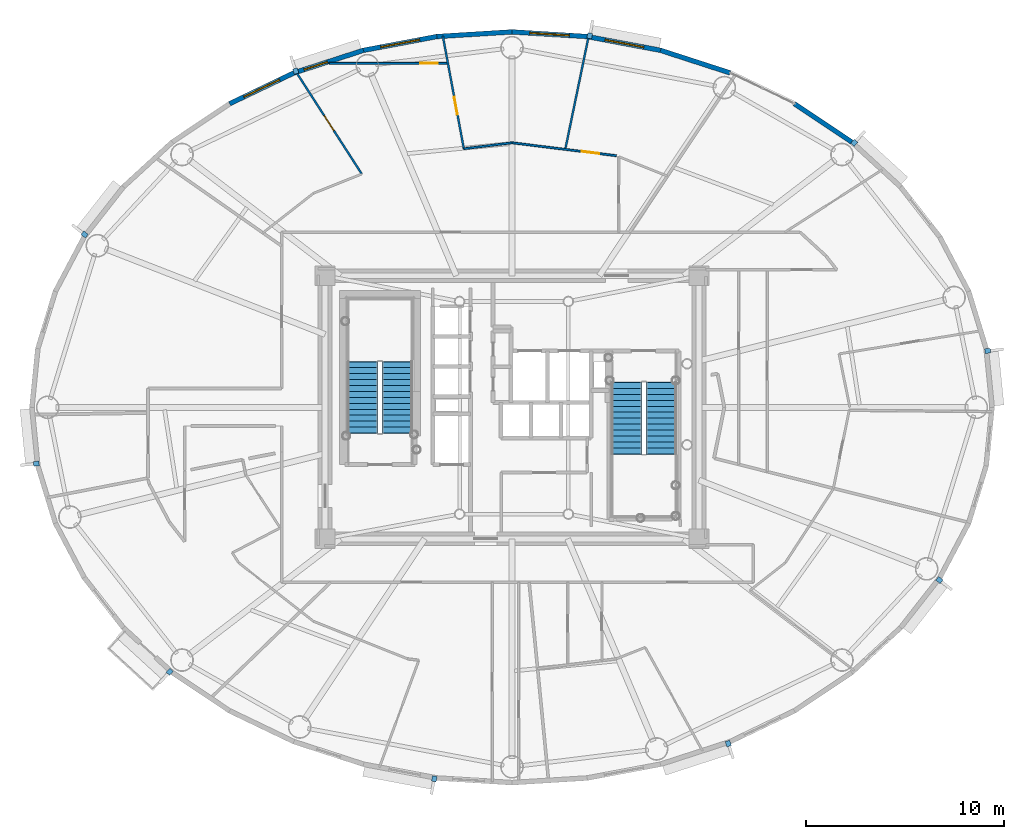
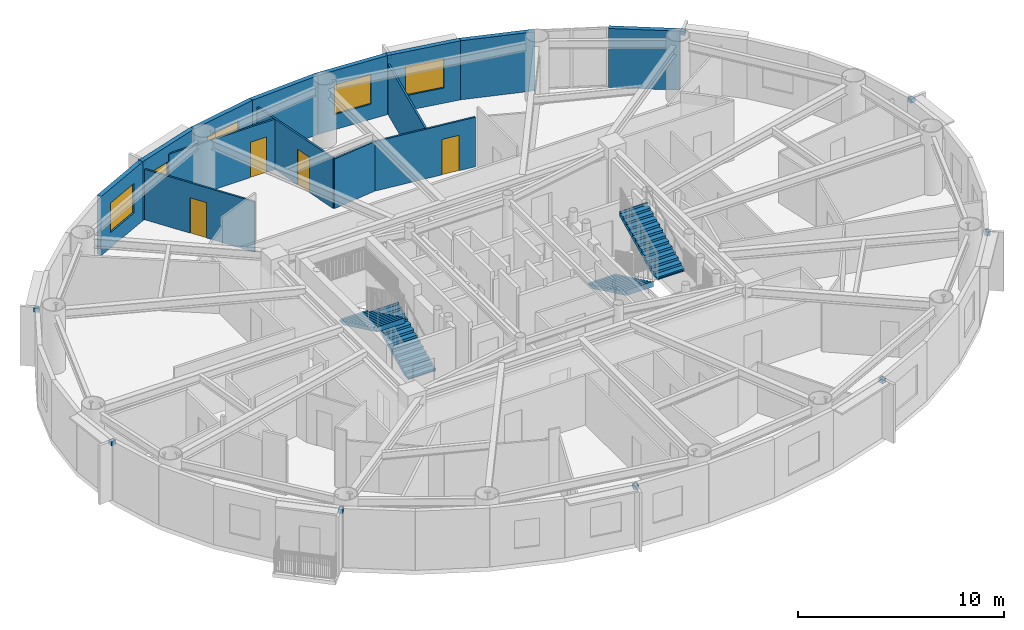
# One storey, part 10 of 16: 14 walls, 10 discrete accessories, 5 windows, 4 doors, 4 stair flights, 9 openings, 2 elements without a shape of their own.
"""IFC4 building model written with IfcOpenShell, lengths in metres."""

from ifc_helpers import new_model, si_unit, direction, frame, frame_2d, origin, origin_2d, place, context, subcontext, project, spatial, polyline, rectangle, outline, extrude, source, transform, mapped, material, layer, layer_set, type_object, element, fill, aggregate, save


model = new_model("IFC4")

# Units and contexts
model_context = context("Model", 3, precision=1e-05, world=origin(), true_north=direction((0.0, 1.0)))
body_context = subcontext(model_context, "Body", "Model", "MODEL_VIEW")
ifc_project = project(units=[si_unit("LENGTHUNIT", "METRE"), si_unit("AREAUNIT", "SQUARE_METRE"), si_unit("VOLUMEUNIT", "CUBIC_METRE"), si_unit("PLANEANGLEUNIT", "RADIAN"), si_unit("MASSUNIT", "GRAM", prefix="KILO")], contexts=[model_context])

# Site, building, storey
site_placement = place(None, origin())
site = spatial("IfcSite", under=ifc_project, at=site_placement, CompositionType="ELEMENT")
building_placement = place(site_placement, origin())
building = spatial("IfcBuilding", under=site, at=building_placement, Name="Linh Dai School and Residence Tower", CompositionType="ELEMENT")
storey_placement = place(building_placement, frame((0.0, 0.0, 255.300048828125)))
storey = spatial("IfcBuildingStorey", under=building, at=storey_placement, Name="L63", CompositionType="ELEMENT", Elevation=255.300048828125)

# Walls
ifc_material_1 = material(Name="Precast Concrete B45 (C35/45)", Category="concrete")
ifc_layer_1 = layer(ifc_material_1, 0.239990234375)
ifc_layer_set_1 = layer_set([ifc_layer_1], Name="Precast Concrete B45 (C35/45)")
wall_type_1 = type_object("IfcWallType", Name="EW-TC-240", PredefinedType="SOLIDWALL", material=ifc_layer_set_1)
wall_1_placement = place(storey_placement, frame((50.280029296875, 42.34765625, 0.0), z_axis=(0.0, 0.0, 1.0), x_axis=(0.831262496074, -0.555880079352, 0.0)))
element("IfcWall", 1, at=wall_1_placement, inside=storey, type_object=wall_type_1, Name="L63 Terracotta Exterior Wall 06", PredefinedType="SOLIDWALL", context=body_context, shape_type="SweptSolid", body=[
    extrude(rectangle(XDim=3.484130859375, YDim=0.239990234375, at=frame_2d((1.7421875, 0.0))), origin(), (0.0, 0.0, 1.0), 3.5),
])
wall_2_placement = place(storey_placement, frame((43.50927734375, 45.048828125, 0.0), z_axis=(0.0, 0.0, 1.0), x_axis=(0.951210789182, -0.308541787354, 0.0)))
element("IfcWall", 2, at=wall_2_placement, inside=storey, type_object=wall_type_1, Name="L63 Terracotta Exterior Wall 08", PredefinedType="SOLIDWALL", context=body_context, shape_type="SweptSolid", body=[
    extrude(rectangle(XDim=3.702392578125, YDim=0.239990234375, at=frame_2d((1.85107421875, 0.0))), origin(), (0.0, 0.0, 1.0), 3.5),
])

# Wall, opening, window
wall_3_placement = place(storey_placement, frame((39.801513671875, 45.745849609375, 0.0), z_axis=(0.0, 0.0, 1.0), x_axis=(0.982784898575, -0.184753465822, 0.0)))
wall_3 = element("IfcWall", 3, at=wall_3_placement, inside=storey, type_object=wall_type_1, Name="L63 Terracotta Exterior Wall 09", PredefinedType="SOLIDWALL", context=body_context, shape_type="SweptSolid", body=[
    extrude(rectangle(XDim=3.772705078125, YDim=0.239990234375, at=frame_2d((1.88623046875, 0.0))), origin(), (0.0, 0.0, 1.0), 3.5),
])
opening_1_placement = place(wall_3_placement, frame((0.915771484375, 0.0, 0.89990234375)))
opening_1 = element("IfcOpeningElement", 4, at=opening_1_placement, cuts=wall_3, Name="Opening W1", PredefinedType="OPENING", context=body_context, shape_type="SweptSolid", body=[
    extrude(rectangle(XDim=2.0, YDim=1.75, at=origin_2d()), frame((1.0, 0.1298828125, 0.875), z_axis=(0.0, -1.0, 0.0), x_axis=(1.0, 0.0, 0.0)), (0.0, 0.0, 1.0), 0.260009765625),
])
ifc_material_2 = material(Name="Double Low-E Insulated Glazing", Category="glass")
window_type_1 = type_object("IfcWindowType", Name="WN-RES-2000x1750", PartitioningType="DOUBLE_PANEL_VERTICAL", PredefinedType="WINDOW", material=ifc_material_2)
shared_shape_1 = source(origin(), body_context, "Body", "SweptSolid", [
    extrude(rectangle(XDim=2.0, YDim=1.75, at=origin_2d()), frame((1.0, 0.030029296875, 0.875), z_axis=(0.0, -1.0, 0.0), x_axis=(1.0, 0.0, 0.0)), (0.0, 0.0, 1.0), 0.06005859375),
])
window_1_placement = place(opening_1_placement, origin())
window_1 = element("IfcWindow", 5, at=window_1_placement, inside=storey, type_object=window_type_1, Name="L63 Exterior Window 09.1", OverallHeight=1.75, OverallWidth=2.0, PartitioningType="DOUBLE_PANEL_VERTICAL", PredefinedType="WINDOW", context=body_context, shape_type="MappedRepresentation", body=[
    mapped(shared_shape_1, transform((0.0, 0.0, 0.0), x_axis=(1.0, 0.0, 0.0), y_axis=(0.0, 1.0, 0.0), z_axis=(0.0, 0.0, 1.0), scale=1.0)),
])
fill(opening_1, window_1)

wall_4_placement = place(storey_placement, frame((36.0, 45.97998046875, 0.0), z_axis=(0.0, 0.0, 1.0), x_axis=(0.998108785312, -0.06147237333, 0.0)))
wall_4 = element("IfcWall", 6, at=wall_4_placement, inside=storey, type_object=wall_type_1, Name="L63 Terracotta Exterior Wall 10", PredefinedType="SOLIDWALL", context=body_context, shape_type="SweptSolid", body=[
    extrude(rectangle(XDim=3.808837890625, YDim=0.239990234375, at=frame_2d((1.904296875, 0.0))), origin(), (0.0, 0.0, 1.0), 3.5),
])
opening_2_placement = place(wall_4_placement, frame((0.904296875, 0.0, 0.89990234375)))
opening_2 = element("IfcOpeningElement", 7, at=opening_2_placement, cuts=wall_4, Name="Opening W1", PredefinedType="OPENING", context=body_context, shape_type="SweptSolid", body=[
    extrude(rectangle(XDim=2.0, YDim=1.75, at=origin_2d()), frame((1.0, 0.1298828125, 0.875), z_axis=(0.0, -1.0, 0.0), x_axis=(1.0, 0.0, 0.0)), (0.0, 0.0, 1.0), 0.260009765625),
])
window_2_placement = place(opening_2_placement, origin())
window_2 = element("IfcWindow", 8, at=window_2_placement, inside=storey, type_object=window_type_1, Name="L63 Exterior Window 10.1", OverallHeight=1.75, OverallWidth=2.0, PartitioningType="DOUBLE_PANEL_VERTICAL", PredefinedType="WINDOW", context=body_context, shape_type="MappedRepresentation", body=[
    mapped(shared_shape_1, transform((0.0, 0.0, 0.0), x_axis=(1.0, 0.0, 0.0), y_axis=(0.0, 1.0, 0.0), z_axis=(0.0, 0.0, 1.0), scale=1.0)),
])
fill(opening_2, window_2)

# Wall
wall_5_placement = place(storey_placement, frame((32.198486328125, 45.745849609375, 0.0), z_axis=(0.0, 0.0, 1.0), x_axis=(0.998108785312, 0.06147237333, 0.0)))
element("IfcWall", 9, at=wall_5_placement, inside=storey, type_object=wall_type_1, Name="L63 Terracotta Exterior Wall 11", PredefinedType="SOLIDWALL", context=body_context, shape_type="SweptSolid", body=[
    extrude(rectangle(XDim=3.808837890625, YDim=0.239990234375, at=frame_2d((1.904296875, 0.0))), origin(), (0.0, 0.0, 1.0), 3.5),
])

# Wall, opening, window
wall_6_placement = place(storey_placement, frame((28.49072265625, 45.048828125, 0.0), z_axis=(0.0, 0.0, 1.0), x_axis=(0.982784898575, 0.184753465822, 0.0)))
wall_6 = element("IfcWall", 10, at=wall_6_placement, inside=storey, type_object=wall_type_1, Name="L63 Terracotta Exterior Wall 12", PredefinedType="SOLIDWALL", context=body_context, shape_type="SweptSolid", body=[
    extrude(rectangle(XDim=3.772705078125, YDim=0.239990234375, at=frame_2d((1.88623046875, 0.0))), origin(), (0.0, 0.0, 1.0), 3.5),
])
opening_3_placement = place(wall_6_placement, frame((0.88623046875, 0.0, 0.89990234375)))
opening_3 = element("IfcOpeningElement", 11, at=opening_3_placement, cuts=wall_6, Name="Opening W1", PredefinedType="OPENING", context=body_context, shape_type="SweptSolid", body=[
    extrude(rectangle(XDim=2.0, YDim=1.75, at=origin_2d()), frame((1.0, 0.1298828125, 0.875), z_axis=(0.0, -1.0, 0.0), x_axis=(1.0, 0.0, 0.0)), (0.0, 0.0, 1.0), 0.260009765625),
])
window_3_placement = place(opening_3_placement, origin())
window_3 = element("IfcWindow", 12, at=window_3_placement, inside=storey, type_object=window_type_1, Name="L63 Exterior Window 12.1", OverallHeight=1.75, OverallWidth=2.0, PartitioningType="DOUBLE_PANEL_VERTICAL", PredefinedType="WINDOW", context=body_context, shape_type="MappedRepresentation", body=[
    mapped(shared_shape_1, transform((0.0, 0.0, 0.0), x_axis=(1.0, 0.0, 0.0), y_axis=(0.0, 1.0, 0.0), z_axis=(0.0, 0.0, 1.0), scale=1.0)),
])
fill(opening_3, window_3)

wall_7_placement = place(storey_placement, frame((24.968994140625, 43.906494140625, 0.0), z_axis=(0.0, 0.0, 1.0), x_axis=(0.951210789182, 0.308541787354, 0.0)))
wall_7 = element("IfcWall", 13, at=wall_7_placement, inside=storey, type_object=wall_type_1, Name="L63 Terracotta Exterior Wall 13", PredefinedType="SOLIDWALL", context=body_context, shape_type="SweptSolid", body=[
    extrude(rectangle(XDim=3.702392578125, YDim=0.239990234375, at=frame_2d((1.85107421875, 0.0))), origin(), (0.0, 0.0, 1.0), 3.5),
])
opening_4_placement = place(wall_7_placement, frame((0.542236328125, 0.0, 0.89990234375)))
opening_4 = element("IfcOpeningElement", 14, at=opening_4_placement, cuts=wall_7, Name="Opening W3", PredefinedType="OPENING", context=body_context, shape_type="SweptSolid", body=[
    extrude(rectangle(XDim=1.25, YDim=1.64990234375, at=origin_2d()), frame((0.625, 0.1298828125, 0.824951171875), z_axis=(0.0, -1.0, 0.0), x_axis=(1.0, 0.0, 0.0)), (0.0, 0.0, 1.0), 0.260009765625),
])
window_type_2 = type_object("IfcWindowType", Name="WN-RES-1250x1650", PartitioningType="SINGLE_PANEL", PredefinedType="WINDOW", material=ifc_material_2)
shared_shape_2 = source(origin(), body_context, "Body", "SweptSolid", [
    extrude(rectangle(XDim=1.25, YDim=1.64990234375, at=origin_2d()), frame((0.625, 0.030029296875, 0.824951171875), z_axis=(0.0, -1.0, 0.0), x_axis=(1.0, 0.0, 0.0)), (0.0, 0.0, 1.0), 0.06005859375),
])
window_4_placement = place(opening_4_placement, origin())
window_4 = element("IfcWindow", 15, at=window_4_placement, inside=storey, type_object=window_type_2, Name="L63 Dwelling Window U6305-LIV", OverallHeight=1.64990234375, OverallWidth=1.25, PartitioningType="SINGLE_PANEL", PredefinedType="WINDOW", context=body_context, shape_type="MappedRepresentation", body=[
    mapped(shared_shape_2, transform((0.0, 0.0, 0.0), x_axis=(1.0, 0.0, 0.0), y_axis=(0.0, 1.0, 0.0), z_axis=(0.0, 0.0, 1.0), scale=1.0)),
])
fill(opening_4, window_4)

wall_8_placement = place(storey_placement, frame((21.719970703125, 42.34765625, 0.0), z_axis=(0.0, 0.0, 1.0), x_axis=(0.901598104751, 0.432574684313, 0.0)))
wall_8 = element("IfcWall", 16, at=wall_8_placement, inside=storey, type_object=wall_type_1, Name="L63 Terracotta Exterior Wall 14", PredefinedType="SOLIDWALL", context=body_context, shape_type="SweptSolid", body=[
    extrude(rectangle(XDim=3.603515625, YDim=0.239990234375, at=frame_2d((1.8017578125, 0.0))), origin(), (0.0, 0.0, 1.0), 3.5),
])
opening_5_placement = place(wall_8_placement, frame((0.802001953125, 0.0, 0.89990234375)))
opening_5 = element("IfcOpeningElement", 17, at=opening_5_placement, cuts=wall_8, Name="Opening W1", PredefinedType="OPENING", context=body_context, shape_type="SweptSolid", body=[
    extrude(rectangle(XDim=2.0, YDim=1.75, at=origin_2d()), frame((1.0, 0.1298828125, 0.875), z_axis=(0.0, -1.0, 0.0), x_axis=(1.0, 0.0, 0.0)), (0.0, 0.0, 1.0), 0.260009765625),
])
window_5_placement = place(opening_5_placement, origin())
window_5 = element("IfcWindow", 18, at=window_5_placement, inside=storey, type_object=window_type_1, Name="L63 Exterior Window 14.1", OverallHeight=1.75, OverallWidth=2.0, PartitioningType="DOUBLE_PANEL_VERTICAL", PredefinedType="WINDOW", context=body_context, shape_type="MappedRepresentation", body=[
    mapped(shared_shape_1, transform((0.0, 0.0, 0.0), x_axis=(1.0, 0.0, 0.0), y_axis=(0.0, 1.0, 0.0), z_axis=(0.0, 0.0, 1.0), scale=1.0)),
])
fill(opening_5, window_5)

# Wall, opening, door
ifc_material_3 = material(Name="Gypsum Plasterboard Acoustic Stud Partition", Category="masonry")
ifc_layer_2 = layer(ifc_material_3, 0.10009765625)
ifc_layer_set_2 = layer_set([ifc_layer_2], Name="Gypsum Plasterboard Acoustic Stud Partition")
wall_type_2 = type_object("IfcWallType", Name="IW-UNIT-100", PredefinedType="PARTITIONING", material=ifc_layer_set_2)
wall_9_placement = place(storey_placement, frame((25.08642578125, 43.949951171875, 0.0), z_axis=(0.0, 0.0, 1.0), x_axis=(0.54137931016, -0.840778474112, 0.0)))
wall_9 = element("IfcWall", 19, at=wall_9_placement, inside=storey, type_object=wall_type_2, Name="L63 Interior Partition Wall 021", PredefinedType="PARTITIONING", context=body_context, shape_type="SweptSolid", body=[
    extrude(rectangle(XDim=6.13134765625, YDim=0.10009765625, at=frame_2d((3.065673828125, 0.0))), origin(), (0.0, 0.0, 1.0), 2.98486328125),
])
opening_6_placement = place(wall_9_placement, frame((2.615478515625, 0.0, 0.0)))
opening_6 = element("IfcOpeningElement", 20, at=opening_6_placement, cuts=wall_9, Name="Opening D05", PredefinedType="OPENING", context=body_context, shape_type="SweptSolid", body=[
    extrude(rectangle(XDim=0.89990234375, YDim=2.10009765625, at=origin_2d()), frame((0.449951171875, 0.06005859375, 1.050048828125), z_axis=(0.0, -1.0, 0.0), x_axis=(1.0, 0.0, 0.0)), (0.0, 0.0, 1.0), 0.1201171875),
])
ifc_material_4 = material(Name="Engineered Timber Internal Door", Category="wood")
door_type = type_object("IfcDoorType", Name="DR-INT-900x2100", OperationType="NOTDEFINED", PredefinedType="DOOR", material=ifc_material_4)
shared_shape_3 = source(origin(), body_context, "Body", "SweptSolid", [
    extrude(rectangle(XDim=0.89990234375, YDim=2.10009765625, at=origin_2d()), frame((0.449951171875, 0.02490234375, 1.050048828125), z_axis=(0.0, -1.0, 0.0), x_axis=(1.0, 0.0, 0.0)), (0.0, 0.0, 1.0), 0.050048828125),
])
door_1_placement = place(opening_6_placement, origin())
door_1 = element("IfcDoor", 21, at=door_1_placement, inside=storey, type_object=door_type, Name="L63 Apartment U6305 Principal Bedroom 3 Door", OperationType="SINGLE_SWING_LEFT", OverallHeight=2.10009765625, OverallWidth=0.89990234375, PredefinedType="DOOR", context=body_context, shape_type="MappedRepresentation", body=[
    mapped(shared_shape_3, transform((0.0, 0.0, 0.0), x_axis=(1.0, 0.0, 0.0), y_axis=(0.0, 1.0, 0.0), z_axis=(0.0, 0.0, 1.0), scale=1.0)),
])
fill(opening_6, door_1)

wall_10_placement = place(storey_placement, frame((26.771728515625, 44.383056640625, 0.0), z_axis=(0.0, 0.0, 1.0), x_axis=(1.0, 0.0, 0.0)))
wall_10 = element("IfcWall", 22, at=wall_10_placement, inside=storey, type_object=wall_type_2, Name="L63 Interior Partition Wall 024", PredefinedType="PARTITIONING", context=body_context, shape_type="SweptSolid", body=[
    extrude(rectangle(XDim=5.989990234375, YDim=0.10009765625, at=frame_2d((2.9951171875, 0.0))), origin(), (0.0, 0.0, 1.0), 2.98486328125),
])
opening_7_placement = place(wall_10_placement, frame((4.58203125, 0.0, 0.0)))
opening_7 = element("IfcOpeningElement", 23, at=opening_7_placement, cuts=wall_10, Name="Opening D05", PredefinedType="OPENING", context=body_context, shape_type="SweptSolid", body=[
    extrude(rectangle(XDim=0.89990234375, YDim=2.10009765625, at=origin_2d()), frame((0.449951171875, 0.06005859375, 1.050048828125), z_axis=(0.0, -1.0, 0.0), x_axis=(1.0, 0.0, 0.0)), (0.0, 0.0, 1.0), 0.1201171875),
])
door_2_placement = place(opening_7_placement, origin())
door_2 = element("IfcDoor", 24, at=door_2_placement, inside=storey, type_object=door_type, Name="L63 Apartment U6305 Kitchen Door", OperationType="SINGLE_SWING_LEFT", OverallHeight=2.10009765625, OverallWidth=0.89990234375, PredefinedType="DOOR", context=body_context, shape_type="MappedRepresentation", body=[
    mapped(shared_shape_3, transform((0.0, 0.0, 0.0), x_axis=(1.0, 0.0, 0.0), y_axis=(0.0, 1.0, 0.0), z_axis=(0.0, 0.0, 1.0), scale=1.0)),
])
fill(opening_7, door_2)

wall_11_placement = place(storey_placement, frame((32.50341796875, 45.76953125, 0.0), z_axis=(0.0, 0.0, 1.0), x_axis=(0.183138923076, -0.983087043376, 0.0)))
wall_11 = element("IfcWall", 25, at=wall_11_placement, inside=storey, type_object=wall_type_2, Name="L63 Interior Partition Wall 035", PredefinedType="PARTITIONING", context=body_context, shape_type="SweptSolid", body=[
    extrude(rectangle(XDim=5.79638671875, YDim=0.10009765625, at=frame_2d((2.898193359375, 0.0))), origin(), (0.0, 0.0, 1.0), 2.98486328125),
])
opening_8_placement = place(wall_11_placement, frame((3.13330078125, 0.0, 0.0)))
opening_8 = element("IfcOpeningElement", 26, at=opening_8_placement, cuts=wall_11, Name="Opening D05", PredefinedType="OPENING", context=body_context, shape_type="SweptSolid", body=[
    extrude(rectangle(XDim=0.89990234375, YDim=2.10009765625, at=origin_2d()), frame((0.449951171875, 0.06005859375, 1.050048828125), z_axis=(0.0, -1.0, 0.0), x_axis=(1.0, 0.0, 0.0)), (0.0, 0.0, 1.0), 0.1201171875),
])
door_3_placement = place(opening_8_placement, origin())
door_3 = element("IfcDoor", 27, at=door_3_placement, inside=storey, type_object=door_type, Name="L63 Apartment U6305 Bedroom 2 Door", OperationType="SINGLE_SWING_RIGHT", OverallHeight=2.10009765625, OverallWidth=0.89990234375, PredefinedType="DOOR", context=body_context, shape_type="MappedRepresentation", body=[
    mapped(shared_shape_3, transform((0.0, 0.0, 0.0), x_axis=(1.0, 0.0, 0.0), y_axis=(0.0, 1.0, 0.0), z_axis=(0.0, 0.0, 1.0), scale=1.0)),
])
fill(opening_8, door_3)

# Wall
wall_12_placement = place(storey_placement, frame((33.56494140625, 40.071533203125, 0.0), z_axis=(0.0, 0.0, 1.0), x_axis=(0.992396815028, 0.1230794927, 0.0)))
element("IfcWall", 28, at=wall_12_placement, inside=storey, type_object=wall_type_2, Name="L63 Interior Partition Wall 036", PredefinedType="PARTITIONING", context=body_context, shape_type="SweptSolid", body=[
    extrude(rectangle(XDim=2.45361328125, YDim=0.10009765625, at=frame_2d((1.226806640625, 0.0))), origin(), (0.0, 0.0, 1.0), 2.93505859375),
])

# Wall, opening, door
wall_13_placement = place(storey_placement, frame((36.0, 40.37353515625, 0.0), z_axis=(0.0, 0.0, 1.0), x_axis=(0.992398169186, -0.123068573551, 0.0)))
wall_13 = element("IfcWall", 29, at=wall_13_placement, inside=storey, type_object=wall_type_2, Name="L63 Interior Partition Wall 051", PredefinedType="PARTITIONING", context=body_context, shape_type="SweptSolid", body=[
    extrude(rectangle(XDim=5.318603515625, YDim=0.10009765625, at=frame_2d((2.6591796875, 0.0))), origin(), (0.0, 0.0, 1.0), 2.93505859375),
])
opening_9_placement = place(wall_13_placement, frame((3.54638671875, 0.0, 0.0)))
opening_9 = element("IfcOpeningElement", 30, at=opening_9_placement, cuts=wall_13, Name="Opening D05", PredefinedType="OPENING", context=body_context, shape_type="SweptSolid", body=[
    extrude(rectangle(XDim=0.89990234375, YDim=2.10009765625, at=origin_2d()), frame((0.449951171875, 0.06005859375, 1.050048828125), z_axis=(0.0, -1.0, 0.0), x_axis=(1.0, 0.0, 0.0)), (0.0, 0.0, 1.0), 0.1201171875),
])
door_4_placement = place(opening_9_placement, origin())
door_4 = element("IfcDoor", 31, at=door_4_placement, inside=storey, type_object=door_type, Name="L63 Apartment U6305 Bedroom 1 Door", OperationType="SINGLE_SWING_LEFT", OverallHeight=2.10009765625, OverallWidth=0.89990234375, PredefinedType="DOOR", context=body_context, shape_type="MappedRepresentation", body=[
    mapped(shared_shape_3, transform((0.0, 0.0, 0.0), x_axis=(1.0, 0.0, 0.0), y_axis=(0.0, 1.0, 0.0), z_axis=(0.0, 0.0, 1.0), scale=1.0)),
])
fill(opening_9, door_4)

# Wall
wall_14_placement = place(storey_placement, frame((38.693603515625, 40.03955078125, 0.0), z_axis=(0.0, 0.0, 1.0), x_axis=(0.20228508648, 0.979326678789, 0.0)))
element("IfcWall", 32, at=wall_14_placement, inside=storey, type_object=wall_type_2, Name="L63 Interior Partition Wall 058", PredefinedType="PARTITIONING", context=body_context, shape_type="SweptSolid", body=[
    extrude(rectangle(XDim=5.818603515625, YDim=0.10009765625, at=frame_2d((2.9091796875, 0.0))), origin(), (0.0, 0.0, 1.0), 2.98486328125),
])

# Stair, stair flights
ifc_material_5 = material(Name="Concrete B45 (C35/45)", Category="concrete")
stair_type = type_object("IfcStairType", Name="ST-DOG-1550-R1442", PredefinedType="HALF_TURN_STAIR", material=ifc_material_5)
stair_1_placement = place(storey_placement, origin())
stair_1 = element("IfcStair", 33, at=stair_1_placement, inside=storey, type_object=stair_type, Name="L63 Core Smokeproof Exit Stair ST1", PredefinedType="HALF_TURN_STAIR")
stair_flight_type = type_object("IfcStairFlightType", Name="STF-STR-1550-R1442", PredefinedType="STRAIGHT", material=ifc_material_5)
shared_shape_4 = source(origin(), body_context, "Body", "SweptSolid", [
    extrude(outline(polyline([(-0.02490234375, 0.0), (-0.02490234375, 0.06005859375), (0.0, 0.06005859375), (0.0, 0.144287109375), (0.300048828125, 0.144287109375), (0.300048828125, 0.28857421875), (0.60009765625, 0.28857421875), (0.60009765625, 0.4326171875), (0.89990234375, 0.4326171875), (0.89990234375, 0.576904296875), (1.199951171875, 0.576904296875), (1.199951171875, 0.72119140625), (1.5, 0.72119140625), (1.5, 0.865478515625), (1.800048828125, 0.865478515625), (1.800048828125, 1.009521484375), (2.10009765625, 1.009521484375), (2.10009765625, 1.15380859375), (2.39990234375, 1.15380859375), (2.39990234375, 1.298095703125), (2.699951171875, 1.298095703125), (2.699951171875, 1.4423828125), (3.0, 1.4423828125), (3.0, 1.58642578125), (3.300048828125, 1.58642578125), (3.300048828125, 1.730712890625), (3.60009765625, 1.730712890625), (3.60009765625, 1.875), (3.625, 1.875), (3.625, 1.564453125), (3.60009765625, 1.564453125), (0.345947265625, 0.0), (-0.02490234375, 0.0)])), frame((0.0, 0.77490234375, 0.0), z_axis=(0.0, -1.0, 0.0), x_axis=(1.0, 0.0, 0.0)), (0.0, 0.0, 1.0), 1.550048828125),
])
stair_flight_1_placement = place(storey_placement, frame((30.205078125, 25.699951171875, 0.0), z_axis=(0.0, 0.0, 1.0), x_axis=(0.0, 1.0, 0.0)))
stair_flight_1 = element("IfcStairFlight", 34, at=stair_flight_1_placement, type_object=stair_flight_type, Name="ST1 flight 1", NumberOfRisers=13, NumberOfTreads=12, PredefinedType="STRAIGHT", RiserHeight=0.144230769, TreadLength=0.3, context=body_context, shape_type="MappedRepresentation", body=[
    mapped(shared_shape_4, transform((0.0, 0.0, 0.0), x_axis=(1.0, 0.0, 0.0), y_axis=(0.0, 1.0, 0.0), z_axis=(0.0, 0.0, 1.0), scale=1.0)),
])
stair_flight_2_placement = place(storey_placement, frame((28.455078125, 29.300048828125, 1.875), z_axis=(0.0, 0.0, 1.0), x_axis=(0.0, -1.0, 0.0)))
stair_flight_2 = element("IfcStairFlight", 35, at=stair_flight_2_placement, type_object=stair_flight_type, Name="ST1 flight 2", NumberOfRisers=13, NumberOfTreads=12, PredefinedType="STRAIGHT", RiserHeight=0.144230769, TreadLength=0.3, context=body_context, shape_type="MappedRepresentation", body=[
    mapped(shared_shape_4, transform((0.0, 0.0, 0.0), x_axis=(1.0, 0.0, 0.0), y_axis=(0.0, 1.0, 0.0), z_axis=(0.0, 0.0, 1.0), scale=1.0)),
])
aggregate(stair_1, [stair_flight_1, stair_flight_2])

stair_2_placement = place(storey_placement, origin())
stair_2 = element("IfcStair", 36, at=stair_2_placement, inside=storey, type_object=stair_type, Name="L63 Core Smokeproof Exit Stair ST2", PredefinedType="HALF_TURN_STAIR")
stair_flight_3_placement = place(storey_placement, frame((41.794921875, 28.25, 0.0), z_axis=(0.0, 0.0, 1.0), x_axis=(0.0, -1.0, 0.0)))
stair_flight_3 = element("IfcStairFlight", 37, at=stair_flight_3_placement, type_object=stair_flight_type, Name="ST2 flight 1", NumberOfRisers=13, NumberOfTreads=12, PredefinedType="STRAIGHT", RiserHeight=0.144230769, TreadLength=0.3, context=body_context, shape_type="MappedRepresentation", body=[
    mapped(shared_shape_4, transform((0.0, 0.0, 0.0), x_axis=(1.0, 0.0, 0.0), y_axis=(0.0, 1.0, 0.0), z_axis=(0.0, 0.0, 1.0), scale=1.0)),
])
stair_flight_4_placement = place(storey_placement, frame((43.544921875, 24.64990234375, 1.875), z_axis=(0.0, 0.0, 1.0), x_axis=(0.0, 1.0, 0.0)))
stair_flight_4 = element("IfcStairFlight", 38, at=stair_flight_4_placement, type_object=stair_flight_type, Name="ST2 flight 2", NumberOfRisers=13, NumberOfTreads=12, PredefinedType="STRAIGHT", RiserHeight=0.144230769, TreadLength=0.3, context=body_context, shape_type="MappedRepresentation", body=[
    mapped(shared_shape_4, transform((0.0, 0.0, 0.0), x_axis=(1.0, 0.0, 0.0), y_axis=(0.0, 1.0, 0.0), z_axis=(0.0, 0.0, 1.0), scale=1.0)),
])
aggregate(stair_2, [stair_flight_3, stair_flight_4])

# Discrete accessories
ifc_material_6 = material(Name="Structural Steel S355JR", Category="steel")
discrete_accessory_type = type_object("IfcDiscreteAccessoryType", Name="ACC-BRK-S355", PredefinedType="BRACKET", material=ifc_material_6)
shared_shape_5 = source(origin(), body_context, "Body", "SweptSolid", [
    extrude(rectangle(XDim=0.280029296875, YDim=0.239990234375, at=origin_2d()), origin(), (0.0, 0.0, 1.0), 0.219970703125),
])
for number, where, z_axis, x_axis, name in (
    (39, (60.048828125, 29.8505859375, 3.25), (0.0, 0.0, 1.0), (0.99498620644, 0.100012244219, 0.0), "L63 Facade Frame Anchor Bracket 01"),
    (40, (53.305419921875, 40.3740234375, 3.25), (0.0, 0.0, 1.0), (0.675757574408, 0.737123938446, 0.0), "L63 Facade Frame Anchor Bracket 05"),
    (41, (39.9306640625, 45.782470703125, 3.25), (0.0, 0.0, 1.0), (0.18474448537, 0.982786586765, 0.0), "L63 Facade Frame Anchor Bracket 09"),
    (42, (25.064697265625, 44.000732421875, 3.25), (0.0, 0.0, 1.0), (-0.308501065272, 0.951223997135, 0.0), "L63 Facade Frame Anchor Bracket 13"),
    (43, (14.390869140625, 35.73681640625, 3.25), (0.0, 0.0, 1.0), (-0.787486677066, 0.616331674867, 0.0), "L63 Facade Frame Anchor Bracket 17"),
    (44, (11.951171875, 24.1494140625, 3.25), (0.0, 0.0, 1.0), (-0.99498620644, -0.100012244219, 0.0), "L63 Facade Frame Anchor Bracket 21"),
    (45, (18.694580078125, 13.6259765625, 3.25), (0.0, 0.0, 1.0), (-0.675756089102, -0.737125300096, 0.0), "L63 Facade Frame Anchor Bracket 25"),
    (46, (32.0693359375, 8.217529296875, 3.25), (0.0, 0.0, 1.0), (-0.18474448537, -0.982786586765, 0.0), "L63 Facade Frame Anchor Bracket 29"),
    (47, (46.935302734375, 9.999267578125, 3.25), (0.0, 0.0, 1.0), (0.308501065272, -0.951223997135, 0.0), "L63 Facade Frame Anchor Bracket 33"),
    (48, (57.609130859375, 18.26318359375, 3.25), (0.0, 0.0, 1.0), (0.787485171888, -0.616333598027, 0.0), "L63 Facade Frame Anchor Bracket 37"),
):
    element("IfcDiscreteAccessory", number, at=place(storey_placement, frame(where, z_axis=z_axis, x_axis=x_axis)), inside=storey, type_object=discrete_accessory_type, Name=name, PredefinedType="BRACKET", context=body_context, shape_type="MappedRepresentation", body=[
        mapped(shared_shape_5, transform((0.0, 0.0, 0.0), x_axis=(1.0, 0.0, 0.0), y_axis=(0.0, 1.0, 0.0), z_axis=(0.0, 0.0, 1.0), scale=1.0)),
    ])

save(model, "model.ifc")
